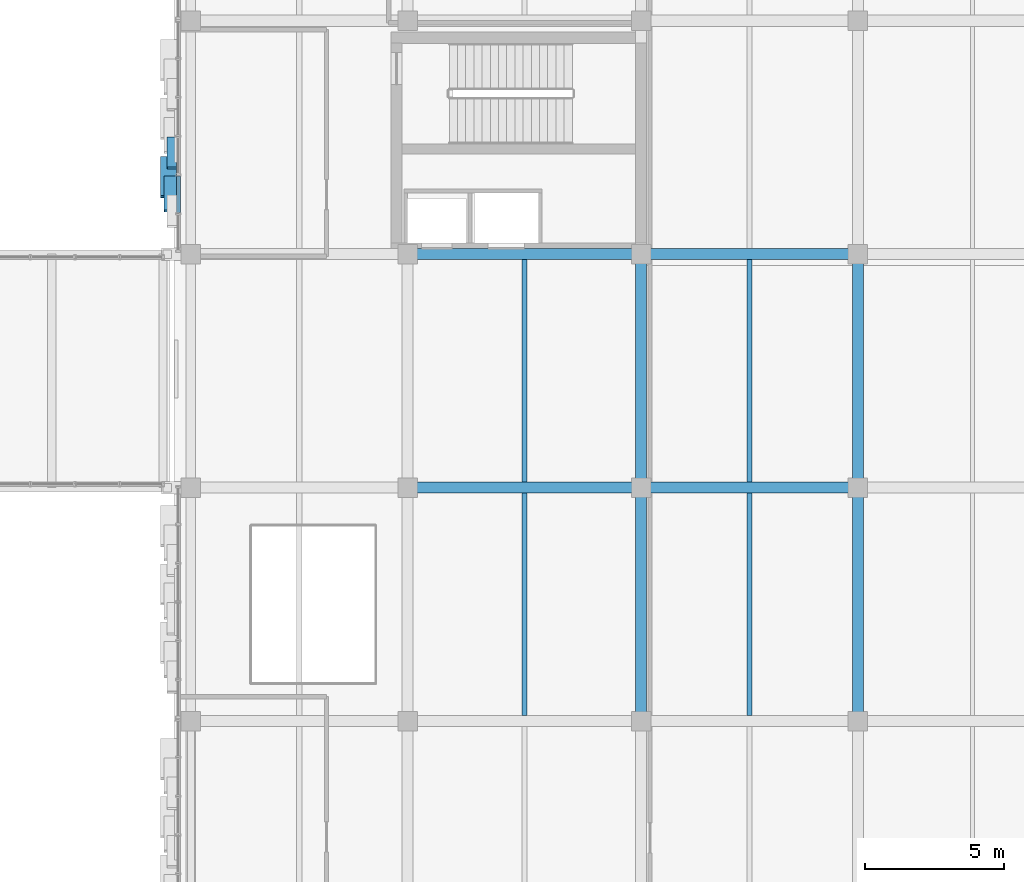
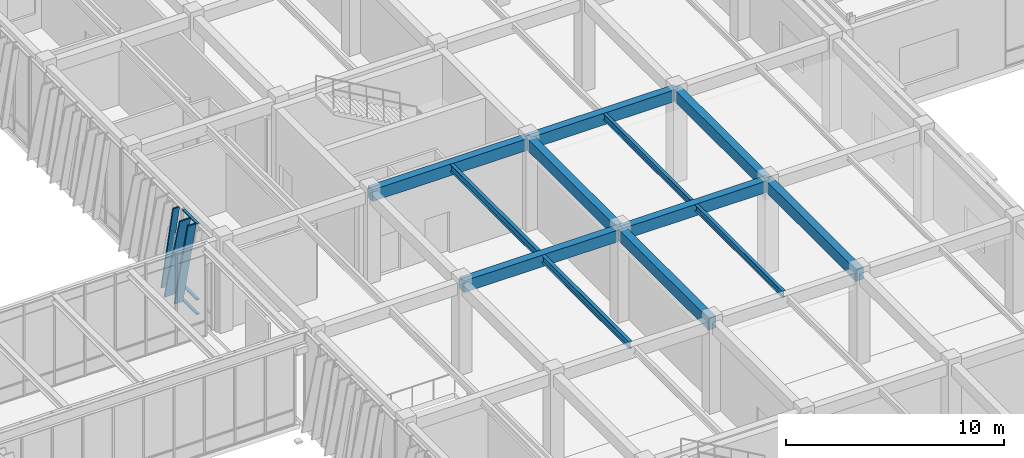
# One storey, part 66 of 139: 12 beams, 6 members, 1 element without a shape of its own.
"""IFC4 building model written with IfcOpenShell, lengths in metres."""

import ifcopenshell
import ifcopenshell.guid

model = None  # the IFC model being written
_history = None  # IfcOwnerHistory: only IFC2X3 demands one
_inside = {}  # id of a spatial element -> (the spatial element, [elements in it])
_under = {}  # id of a project, library or spatial element -> (it, [spatial elements below it])
_declared = {}  # id of a project -> (the project, [libraries it declares])
_typed = {}  # id of a type object -> (the type object, [elements of that type])
_made_of = {}  # id of a material, layer set ... -> (it, [elements and type objects made of it])


def new_model(schema):
    """Start an empty IFC model of exactly this schema.

    Asked for "IFC4X3", IfcOpenShell would pick the latest addendum, in which some entities
    have other attributes; the version numbers below select the first issue.
    IFC2X3 requires an IfcOwnerHistory on every rooted entity: one is made here for all.
    """
    global model, _history
    if schema == "IFC4X3":
        model = ifcopenshell.file(schema_version=(4, 3, 0, 0))
    else:
        model = ifcopenshell.file(schema=schema)
    _inside.clear()
    _under.clear()
    _declared.clear()
    _typed.clear()
    _made_of.clear()
    _history = None
    if model.schema == "IFC2X3":
        org = make("IfcOrganization", Name="unknown")
        user = make(
            "IfcPersonAndOrganization",
            ThePerson=make("IfcPerson", FamilyName="unknown"),
            TheOrganization=org,
        )
        app = make(
            "IfcApplication",
            ApplicationDeveloper=org,
            Version="unknown",
            ApplicationFullName="unknown",
            ApplicationIdentifier="unknown",
        )
        _history = make(
            "IfcOwnerHistory",
            OwningUser=user,
            OwningApplication=app,
            ChangeAction="ADDED",
            CreationDate=0,
        )
    return model


def make(cls, **values):
    """One entity of the class cls with the attributes given. An attribute that is None is left unset."""
    return model.create_entity(
        cls, **{name: value for name, value in values.items() if value is not None}
    )


def rooted(cls, **values):
    """An entity with a GlobalId (a new one), such as an element, a storey or a relation."""
    return make(cls, GlobalId=ifcopenshell.guid.new(), OwnerHistory=_history, **values)


def si_unit(unit_type, name, prefix=None):
    """IfcSIUnit, for example si_unit("LENGTHUNIT", "METRE", prefix="MILLI")."""
    return make("IfcSIUnit", UnitType=unit_type, Prefix=prefix, Name=name)


def assignment(units):
    """IfcUnitAssignment: the units of a project."""
    return None if units is None else make("IfcUnitAssignment", Units=units)


def point(xyz):
    """IfcCartesianPoint."""
    return None if xyz is None else make("IfcCartesianPoint", Coordinates=xyz)


def direction(xyz):
    """IfcDirection."""
    return None if xyz is None else make("IfcDirection", DirectionRatios=xyz)


def frame(location, z_axis=None, x_axis=None):
    """IfcAxis2Placement3D, a coordinate frame: its origin and axes. An axis left out is left unset."""
    return make(
        "IfcAxis2Placement3D",
        Location=point(location),
        Axis=direction(z_axis),
        RefDirection=direction(x_axis),
    )


def frame_2d(location, x_axis=None):
    """IfcAxis2Placement2D, a coordinate frame in the plane: its origin and x axis."""
    return make(
        "IfcAxis2Placement2D", Location=point(location), RefDirection=direction(x_axis)
    )


def origin():
    """The frame at (0, 0, 0) with its axes left unset."""
    return frame((0.0, 0.0, 0.0))


def origin_2d():
    """The frame at (0, 0) in the plane with its x axis left unset."""
    return frame_2d((0.0, 0.0))


def place(relative_to, where):
    """IfcLocalPlacement: puts the frame where relative to a parent placement (None: the world)."""
    return make(
        "IfcLocalPlacement", PlacementRelTo=relative_to, RelativePlacement=where
    )


def context(
    kind, dimensions, precision=None, world=None, true_north=None, identifier=None
):
    """IfcGeometricRepresentationContext, for example the 3D "Model" context."""
    return make(
        "IfcGeometricRepresentationContext",
        ContextIdentifier=identifier,
        ContextType=kind,
        CoordinateSpaceDimension=dimensions,
        Precision=precision,
        WorldCoordinateSystem=world,
        TrueNorth=true_north,
    )


def subcontext(parent, identifier, kind, view, scale=None):
    """IfcGeometricRepresentationSubContext, for example "Body" below "Model"."""
    return make(
        "IfcGeometricRepresentationSubContext",
        ContextIdentifier=identifier,
        ContextType=kind,
        ParentContext=parent,
        TargetScale=scale,
        TargetView=view,
    )


def project(units=None, contexts=None):
    """IfcProject with its units and contexts."""
    return rooted(
        "IfcProject",
        Name="project",
        RepresentationContexts=contexts,
        UnitsInContext=assignment(units),
    )


def spatial(cls, under=None, at=None, **own):
    """A site, building, storey or space (cls), placed at a placement, below another one or the project."""
    s = rooted(cls, ObjectPlacement=at, **own)
    if under is not None:
        _under.setdefault(under.id(), (under, []))[1].append(s)
    return s


def profile(cls, at=None, kind="AREA", **sizes):
    """A parametric profile (cls). Its sizes go by their IFC names, for example OverallWidth=200.0."""
    return make(cls, ProfileType=kind, Position=at, **sizes)


def rectangle(**sizes):
    """IfcRectangleProfileDef."""
    return profile("IfcRectangleProfileDef", **sizes)


def hollow_rectangle(**sizes):
    """IfcRectangleHollowProfileDef."""
    return profile("IfcRectangleHollowProfileDef", **sizes)


def i_section(**sizes):
    """IfcIShapeProfileDef."""
    return profile("IfcIShapeProfileDef", **sizes)


def extrude(swept, where, along, depth):
    """IfcExtrudedAreaSolid: the profile swept, set in the frame where, extruded along a direction by depth."""
    return make(
        "IfcExtrudedAreaSolid",
        SweptArea=swept,
        Position=where,
        ExtrudedDirection=direction(along),
        Depth=depth,
    )


def shape(context_of_items, identifier, shape_type, items):
    """IfcShapeRepresentation: the items that make up one representation, for example the "Body"."""
    return make(
        "IfcShapeRepresentation",
        ContextOfItems=context_of_items,
        RepresentationIdentifier=identifier,
        RepresentationType=shape_type,
        Items=items,
    )


def material(Name=None, Category=None):
    """IfcMaterial."""
    return make("IfcMaterial", Name=Name, Category=Category)


def layer(
    of_material, thickness, ventilated=None, Name=None, Category=None, Priority=None
):
    """IfcMaterialLayer: one layer of a wall or slab, of a material (None: an air gap)."""
    return make(
        "IfcMaterialLayer",
        Material=of_material,
        LayerThickness=thickness,
        IsVentilated=ventilated,
        Name=Name,
        Category=Category,
        Priority=Priority,
    )


def layer_set(layers, Name=None):
    """IfcMaterialLayerSet."""
    return make("IfcMaterialLayerSet", MaterialLayers=layers, LayerSetName=Name)


def material_profile(
    of_material, cross_section, Name=None, Category=None, Priority=None
):
    """IfcMaterialProfile: a cross section and its material."""
    return make(
        "IfcMaterialProfile",
        Name=Name,
        Material=of_material,
        Profile=cross_section,
        Priority=Priority,
        Category=Category,
    )


def profile_set(profiles, Name=None, composite=None):
    """IfcMaterialProfileSet."""
    return make(
        "IfcMaterialProfileSet",
        Name=Name,
        MaterialProfiles=profiles,
        CompositeProfile=composite,
    )


def made_of(thing, what):
    """Note that an element or type object is made of a material, layer set ...; save() writes the relation."""
    if what is not None:
        _made_of.setdefault(what.id(), (what, []))[1].append(thing)
    return thing


def type_object(cls, material=None, **own):
    """A type object (cls), such as IfcWallType, which elements share."""
    return made_of(rooted(cls, **own), material)


def element(
    cls,
    number,
    at=None,
    inside=None,
    cuts=None,
    type_object=None,
    material=None,
    context=None,
    identifier="Body",
    shape_type=None,
    held_by="IfcProductDefinitionShape",
    body=None,
    shapes=None,
    **own,
):
    """One element of the class cls, such as IfcWall. Its Tag is "e" and its number.

    at: its placement. inside: the storey or other place that contains it. cuts: it is an
    opening in that element (IfcRelVoidsElement). A single representation is given by context,
    identifier, shape_type and body (its items); several are given by shapes. held_by: the class
    of the entity that holds the representations. save() writes the other relations.
    """
    e = rooted(cls, Tag="e%d" % number, ObjectPlacement=at, **own)
    if body is not None:
        shapes = [shape(context, identifier, shape_type, body)]
    if shapes is not None:
        e.Representation = make(held_by, Representations=shapes)
    if inside is not None:
        _inside.setdefault(inside.id(), (inside, []))[1].append(e)
    if cuts is not None:
        rooted(
            "IfcRelVoidsElement", RelatingBuildingElement=cuts, RelatedOpeningElement=e
        )
    if type_object is not None:
        _typed.setdefault(type_object.id(), (type_object, []))[1].append(e)
    return made_of(e, material)


def aggregate(whole, parts):
    """IfcRelAggregates: a whole, such as a stair, and the parts it consists of."""
    return rooted("IfcRelAggregates", RelatingObject=whole, RelatedObjects=parts)


def save(model, path):
    """Write the relations noted so far, then the file.

    IfcRelAggregates (storeys below a building ...), IfcRelContainedInSpatialStructure (elements
    in a storey), IfcRelDefinesByType, IfcRelAssociatesMaterial and IfcRelDeclares: one each for
    every whole, place, type object, material and project.
    """
    for whole, parts in _under.values():
        aggregate(whole, parts)
    for where, things in _inside.values():
        rooted(
            "IfcRelContainedInSpatialStructure",
            RelatedElements=things,
            RelatingStructure=where,
        )
    for kind, things in _typed.values():
        rooted("IfcRelDefinesByType", RelatedObjects=things, RelatingType=kind)
    for what, things in _made_of.values():
        rooted("IfcRelAssociatesMaterial", RelatedObjects=things, RelatingMaterial=what)
    for by, libraries in _declared.values():
        rooted("IfcRelDeclares", RelatingContext=by, RelatedDefinitions=libraries)
    model.write(path)


model = new_model("IFC4")

# Units and contexts
model_context = context("Model", 3, precision=1e-05, world=origin(), true_north=direction((0.0, 1.0)))
body_context = subcontext(model_context, "Body", "Model", "MODEL_VIEW")
ifc_project = project(units=[si_unit("LENGTHUNIT", "METRE"), si_unit("AREAUNIT", "SQUARE_METRE"), si_unit("VOLUMEUNIT", "CUBIC_METRE"), si_unit("PLANEANGLEUNIT", "RADIAN"), si_unit("MASSUNIT", "GRAM", prefix="KILO")], contexts=[model_context])

# Site, building, storey
site_placement = place(None, origin())
site = spatial("IfcSite", under=ifc_project, at=site_placement, CompositionType="ELEMENT")
building_placement = place(site_placement, origin())
building = spatial("IfcBuilding", under=site, at=building_placement, Name="Zayran Congress Hotel", CompositionType="ELEMENT")
storey_placement = place(building_placement, frame((0.0, 0.0, 5.39990234375)))
storey = spatial("IfcBuildingStorey", under=building, at=storey_placement, Name="L01", CompositionType="ELEMENT", Elevation=5.39990234375)

# Beams
ifc_material_1 = material(Name="Concrete C40/50", Category="concrete")
ifc_material_profile_1 = material_profile(ifc_material_1, rectangle(XDim=0.39990234375, YDim=0.64990234375, at=origin_2d()), Name="RC 400x650")
ifc_profile_set_1 = profile_set([ifc_material_profile_1], Name="Concrete C40/50")
beam_type_1 = type_object("IfcBeamType", Name="TP-BM-03", PredefinedType="BEAM", material=ifc_profile_set_1)
beam_1_placement = place(storey_placement, frame((117.60009765625, 76.0, 4.775146484375), z_axis=(1.0, 0.0, 0.0), x_axis=(0.0, 1.0, 0.0)))
element("IfcBeam", 1, at=beam_1_placement, inside=storey, type_object=beam_type_1, Name="BM-V4-L01-1325", PredefinedType="BEAM", context=body_context, shape_type="SweptSolid", body=[
    extrude(rectangle(XDim=0.39990234375, YDim=0.64990234375, at=origin_2d()), origin(), (0.0, 0.0, 1.0), 8.39990234375),
])
beam_2_placement = place(storey_placement, frame((126.0, 76.0, 4.775146484375), z_axis=(1.0, 0.0, 0.0), x_axis=(0.0, 1.0, 0.0)))
element("IfcBeam", 2, at=beam_2_placement, inside=storey, type_object=beam_type_1, Name="BM-V4-L01-1326", PredefinedType="BEAM", context=body_context, shape_type="SweptSolid", body=[
    extrude(rectangle(XDim=0.39990234375, YDim=0.64990234375, at=origin_2d()), origin(), (0.0, 0.0, 1.0), 7.800048828125),
])
beam_3_placement = place(storey_placement, frame((117.60009765625, 84.39990234375, 4.775146484375), z_axis=(1.0, 0.0, 0.0), x_axis=(0.0, 1.0, 0.0)))
element("IfcBeam", 3, at=beam_3_placement, inside=storey, type_object=beam_type_1, Name="BM-V4-L01-1329", PredefinedType="BEAM", context=body_context, shape_type="SweptSolid", body=[
    extrude(rectangle(XDim=0.39990234375, YDim=0.64990234375, at=origin_2d()), origin(), (0.0, 0.0, 1.0), 8.39990234375),
])
beam_4_placement = place(storey_placement, frame((126.0, 84.39990234375, 4.775146484375), z_axis=(1.0, 0.0, 0.0), x_axis=(0.0, 1.0, 0.0)))
element("IfcBeam", 4, at=beam_4_placement, inside=storey, type_object=beam_type_1, Name="BM-V4-L01-1330", PredefinedType="BEAM", context=body_context, shape_type="SweptSolid", body=[
    extrude(rectangle(XDim=0.39990234375, YDim=0.64990234375, at=origin_2d()), origin(), (0.0, 0.0, 1.0), 7.800048828125),
])
for number, where, z_axis, x_axis, name in (
    (5, (126.0, 67.60009765625, 4.775146484375), (0.0, 1.0, 0.0), (-1.0, 0.0, 0.0), "BM-V4-L01-1361"),
    (6, (126.0, 76.0, 4.775146484375), (0.0, 1.0, 0.0), (-1.0, 0.0, 0.0), "BM-V4-L01-1362"),
    (7, (133.800048828125, 67.60009765625, 4.775146484375), (0.0, 1.0, 0.0), (-1.0, 0.0, 0.0), "BM-V4-L01-1369"),
    (8, (133.800048828125, 76.0, 4.775146484375), (0.0, 1.0, 0.0), (-1.0, 0.0, 0.0), "BM-V4-L01-1370"),
):
    element("IfcBeam", number, at=place(storey_placement, frame(where, z_axis=z_axis, x_axis=x_axis)), inside=storey, type_object=beam_type_1, Name=name, PredefinedType="BEAM", context=body_context, shape_type="SweptSolid", body=[
        extrude(rectangle(XDim=0.39990234375, YDim=0.64990234375, at=origin_2d()), origin(), (0.0, 0.0, 1.0), 8.39990234375),
    ])
ifc_material_2 = material(Name="Steel S355", Category="steel")
ifc_material_profile_2 = material_profile(ifc_material_2, i_section(OverallWidth=0.179931640625, OverallDepth=0.39990234375, WebThickness=0.008544921875, FlangeThickness=0.013427734375, at=origin_2d()), Name="IPE 400")
ifc_profile_set_2 = profile_set([ifc_material_profile_2], Name="Steel S355")
beam_type_2 = type_object("IfcBeamType", Name="TP-JS-03", PredefinedType="JOIST", material=ifc_profile_set_2)
for number, where, z_axis, x_axis, name in (
    (9, (121.800048828125, 67.800048828125, 4.900146484375), (0.0, 1.0, 0.0), (-1.0, 0.0, 0.0), "JST-V4-L01-1392"),
    (10, (121.800048828125, 76.199951171875, 4.900146484375), (0.0, 1.0, 0.0), (-1.0, 0.0, 0.0), "JST-V4-L01-1393"),
):
    element("IfcBeam", number, at=place(storey_placement, frame(where, z_axis=z_axis, x_axis=x_axis)), inside=storey, type_object=beam_type_2, Name=name, PredefinedType="JOIST", context=body_context, shape_type="SweptSolid", body=[
        extrude(i_section(OverallWidth=0.179931640625, OverallDepth=0.39990234375, WebThickness=0.008544921875, FlangeThickness=0.013427734375, at=origin_2d()), origin(), (0.0, 0.0, 1.0), 8.0),
    ])
ifc_material_profile_3 = material_profile(ifc_material_2, i_section(OverallWidth=0.169921875, OverallDepth=0.360107421875, WebThickness=0.008056640625, FlangeThickness=0.0126953125, at=origin_2d()), Name="IPE 360")
ifc_profile_set_3 = profile_set([ifc_material_profile_3], Name="Steel S355")
beam_type_3 = type_object("IfcBeamType", Name="TP-JS-04", PredefinedType="JOIST", material=ifc_profile_set_3)
for number, where, z_axis, x_axis, name in (
    (11, (129.89990234375, 67.800048828125, 4.920166015625), (0.0, 1.0, 0.0), (-1.0, 0.0, 0.0), "JST-V4-L01-1399"),
    (12, (129.89990234375, 76.199951171875, 4.920166015625), (0.0, 1.0, 0.0), (-1.0, 0.0, 0.0), "JST-V4-L01-1400"),
):
    element("IfcBeam", number, at=place(storey_placement, frame(where, z_axis=z_axis, x_axis=x_axis)), inside=storey, type_object=beam_type_3, Name=name, PredefinedType="JOIST", context=body_context, shape_type="SweptSolid", body=[
        extrude(i_section(OverallWidth=0.169921875, OverallDepth=0.360107421875, WebThickness=0.008056640625, FlangeThickness=0.0126953125, at=origin_2d()), origin(), (0.0, 0.0, 1.0), 8.0),
    ])

# Curtain wall, members
ifc_material_3 = material(Name="Anodised aluminium and low-E insulated glass", Category="aluminium")
ifc_layer = layer(ifc_material_3, 0.179931640625)
ifc_layer_set = layer_set([ifc_layer], Name="Anodised aluminium and low-E insulated glass")
curtain_wall_type = type_object("IfcCurtainWallType", Name="CW-V4W-L01-CW-53-8371-5100", PredefinedType="USERDEFINED", material=ifc_layer_set)
curtain_wall_placement = place(storey_placement, origin())
curtain_wall = element("IfcCurtainWall", 13, at=curtain_wall_placement, inside=storey, type_object=curtain_wall_type, Name="CW-V4W-L01-5", ObjectType="CURTAIN WALL", PredefinedType="USERDEFINED")
ifc_material_4 = material(Name="Anodised aluminium framing", Category="aluminium")
ifc_material_profile_4 = material_profile(ifc_material_4, hollow_rectangle(XDim=0.06005859375, YDim=0.14990234375, WallThickness=0.00390625, at=origin_2d()), Name="RHS 150x60x4")
ifc_profile_set_4 = profile_set([ifc_material_profile_4], Name="Anodised aluminium framing")
member_type_1 = type_object("IfcMemberType", Name="TP-CWT-01", PredefinedType="USERDEFINED", material=ifc_profile_set_4)
member_1_placement = place(storey_placement, frame((109.35009765625, 87.211181640625, 0.030029296875), z_axis=(0.0, -1.0, 0.0), x_axis=(0.0, 0.0, 1.0)))
member_1 = element("IfcMember", 14, at=member_1_placement, type_object=member_type_1, Name="CW-V4W-L01-5-T04-0", ObjectType="TRANSOM", PredefinedType="USERDEFINED", context=body_context, shape_type="SweptSolid", body=[
    extrude(hollow_rectangle(XDim=0.06005859375, YDim=0.14990234375, WallThickness=0.00390625, at=origin_2d()), origin(), (0.0, 0.0, 1.0), 1.31494140625),
])
member_2_placement = place(storey_placement, frame((109.35009765625, 87.211181640625, 0.840087890625), z_axis=(0.0, -1.0, 0.0), x_axis=(0.0, 0.0, 1.0)))
member_2 = element("IfcMember", 15, at=member_2_placement, type_object=member_type_1, Name="CW-V4W-L01-5-T04-1", ObjectType="TRANSOM", PredefinedType="USERDEFINED", context=body_context, shape_type="SweptSolid", body=[
    extrude(hollow_rectangle(XDim=0.06005859375, YDim=0.14990234375, WallThickness=0.00390625, at=origin_2d()), origin(), (0.0, 0.0, 1.0), 1.31494140625),
])
member_3_placement = place(storey_placement, frame((109.35009765625, 87.211181640625, 5.070068359375), z_axis=(0.0, -1.0, 0.0), x_axis=(0.0, 0.0, 1.0)))
member_3 = element("IfcMember", 16, at=member_3_placement, type_object=member_type_1, Name="CW-V4W-L01-5-T04-2", ObjectType="TRANSOM", PredefinedType="USERDEFINED", context=body_context, shape_type="SweptSolid", body=[
    extrude(hollow_rectangle(XDim=0.06005859375, YDim=0.14990234375, WallThickness=0.00390625, at=origin_2d()), origin(), (0.0, 0.0, 1.0), 1.31494140625),
])
ifc_material_5 = material(Name="Warm bronze anodised aluminium", Category="aluminium")
ifc_material_profile_5 = material_profile(ifc_material_5, hollow_rectangle(XDim=0.080078125, YDim=0.580078125, WallThickness=0.006103515625, at=origin_2d()), Name="RHS 580x80x6")
ifc_profile_set_5 = profile_set([ifc_material_profile_5], Name="Warm bronze anodised aluminium")
member_type_2 = type_object("IfcMemberType", Name="TP-RFN-01", PredefinedType="MULLION", material=ifc_profile_set_5)
member_4_placement = place(storey_placement, frame((109.0, 87.882080078125, 0.0), z_axis=(0.0, -0.267267943227, 0.963622253024), x_axis=(0.0, 0.963622253024, 0.267267943227)))
member_4 = element("IfcMember", 17, at=member_4_placement, type_object=member_type_2, Name="Slanting Reed Mullion CW-53-07", PredefinedType="MULLION", context=body_context, shape_type="SweptSolid", body=[
    extrude(hollow_rectangle(XDim=0.080078125, YDim=0.580078125, WallThickness=0.006103515625, at=origin_2d()), origin(), (0.0, 0.0, 1.0), 5.292724609375),
])
ifc_material_profile_6 = material_profile(ifc_material_5, hollow_rectangle(XDim=0.080078125, YDim=0.449951171875, WallThickness=0.006103515625, at=origin_2d()), Name="RHS 450x80x6")
ifc_profile_set_6 = profile_set([ifc_material_profile_6], Name="Warm bronze anodised aluminium")
member_type_3 = type_object("IfcMemberType", Name="TP-RFN-02", PredefinedType="MULLION", material=ifc_profile_set_6)
member_5_placement = place(storey_placement, frame((109.06494140625, 87.181884765625, 0.0), z_axis=(0.0, -0.233434569046, 0.972372511939), x_axis=(0.0, 0.972372511939, 0.233434569046)))
member_5 = element("IfcMember", 18, at=member_5_placement, type_object=member_type_3, Name="Slanting Reed Mullion CW-53-08", PredefinedType="MULLION", context=body_context, shape_type="SweptSolid", body=[
    extrude(hollow_rectangle(XDim=0.080078125, YDim=0.449951171875, WallThickness=0.006103515625, at=origin_2d()), origin(), (0.0, 0.0, 1.0), 5.2451171875),
])
ifc_material_profile_7 = material_profile(ifc_material_5, hollow_rectangle(XDim=0.080078125, YDim=0.340087890625, WallThickness=0.006103515625, at=origin_2d()), Name="RHS 340x80x6")
ifc_profile_set_7 = profile_set([ifc_material_profile_7], Name="Warm bronze anodised aluminium")
member_type_4 = type_object("IfcMemberType", Name="TP-RFN-03", PredefinedType="MULLION", material=ifc_profile_set_7)
member_6_placement = place(storey_placement, frame((109.1201171875, 88.58203125, 0.0), z_axis=(0.0, -0.207897956377, 0.978150519979), x_axis=(0.0, 0.978150519979, 0.207897956377)))
member_6 = element("IfcMember", 19, at=member_6_placement, type_object=member_type_4, Name="Slanting Reed Mullion CW-53-06", PredefinedType="MULLION", context=body_context, shape_type="SweptSolid", body=[
    extrude(hollow_rectangle(XDim=0.080078125, YDim=0.340087890625, WallThickness=0.006103515625, at=origin_2d()), origin(), (0.0, 0.0, 1.0), 5.214111328125),
])
aggregate(curtain_wall, [member_1, member_2, member_3, member_6, member_4, member_5])

save(model, "model.ifc")
